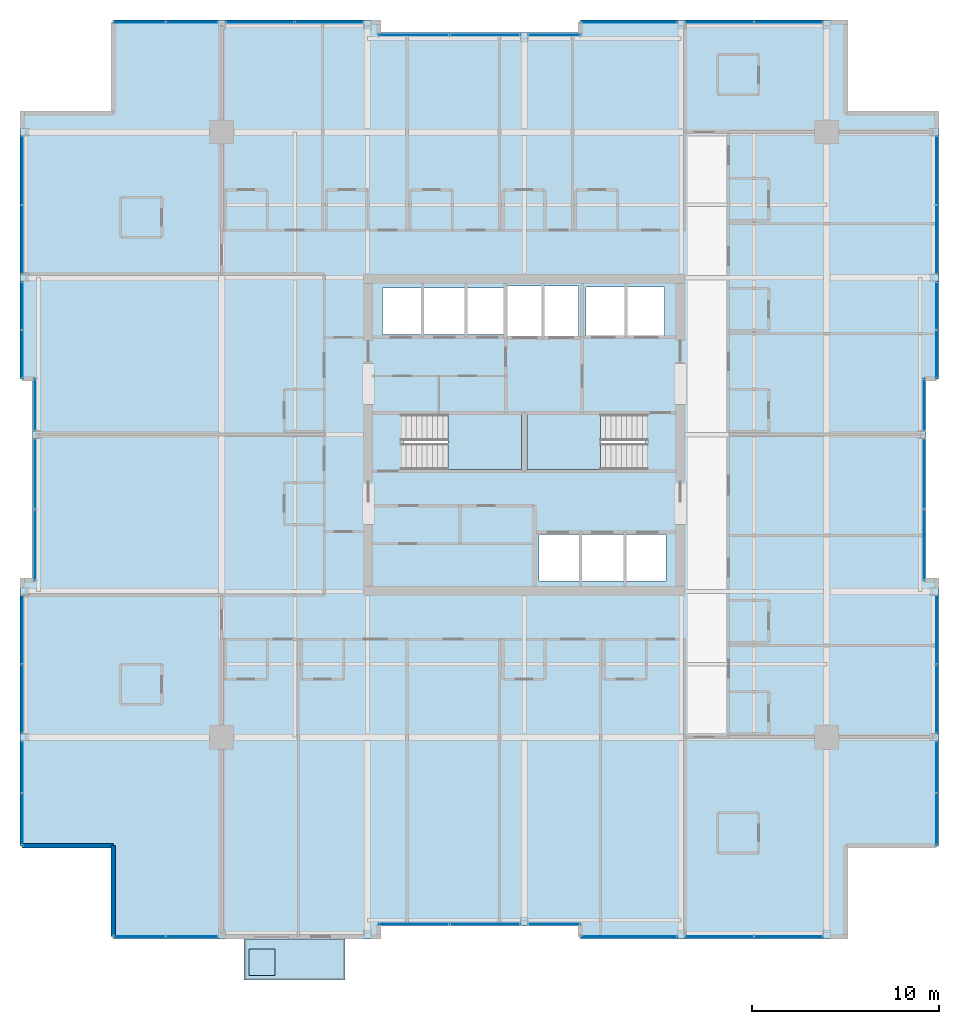
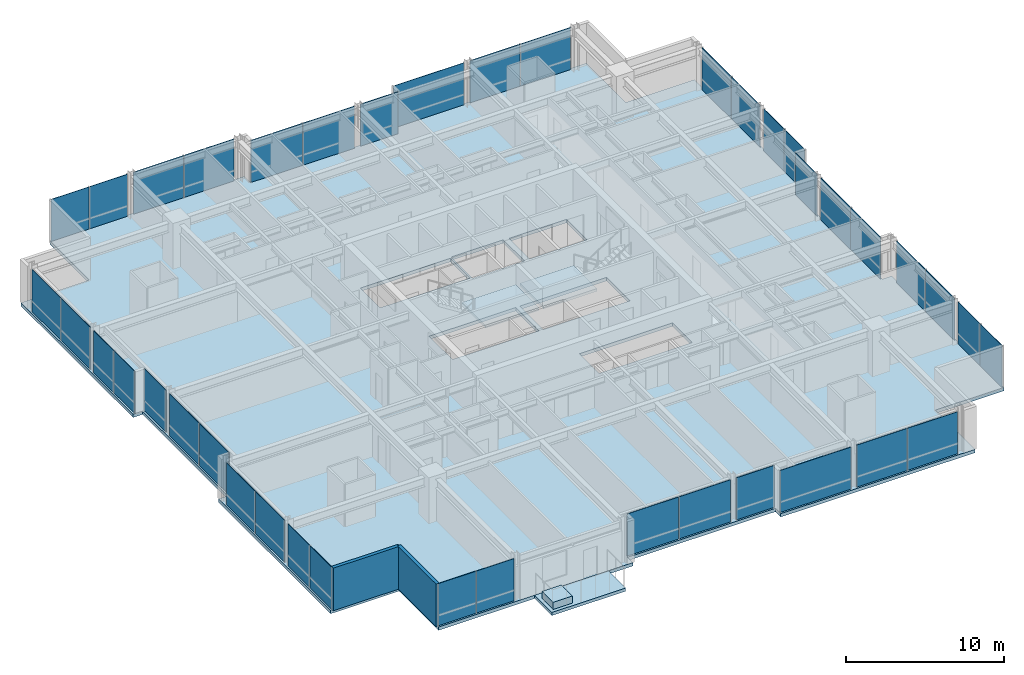
# One storey, part 25 of 32: 40 plates, 5 slabs, 2 walls, 25 elements without a shape of their own.
"""IFC4 building model written with IfcOpenShell, lengths in metres."""

import ifcopenshell
import ifcopenshell.guid

model = None  # the IFC model being written
_history = None  # IfcOwnerHistory: only IFC2X3 demands one
_inside = {}  # id of a spatial element -> (the spatial element, [elements in it])
_under = {}  # id of a project, library or spatial element -> (it, [spatial elements below it])
_declared = {}  # id of a project -> (the project, [libraries it declares])
_typed = {}  # id of a type object -> (the type object, [elements of that type])
_made_of = {}  # id of a material, layer set ... -> (it, [elements and type objects made of it])


def new_model(schema):
    """Start an empty IFC model of exactly this schema.

    Asked for "IFC4X3", IfcOpenShell would pick the latest addendum, in which some entities
    have other attributes; the version numbers below select the first issue.
    IFC2X3 requires an IfcOwnerHistory on every rooted entity: one is made here for all.
    """
    global model, _history
    if schema == "IFC4X3":
        model = ifcopenshell.file(schema_version=(4, 3, 0, 0))
    else:
        model = ifcopenshell.file(schema=schema)
    _inside.clear()
    _under.clear()
    _declared.clear()
    _typed.clear()
    _made_of.clear()
    _history = None
    if model.schema == "IFC2X3":
        org = make("IfcOrganization", Name="unknown")
        user = make(
            "IfcPersonAndOrganization",
            ThePerson=make("IfcPerson", FamilyName="unknown"),
            TheOrganization=org,
        )
        app = make(
            "IfcApplication",
            ApplicationDeveloper=org,
            Version="unknown",
            ApplicationFullName="unknown",
            ApplicationIdentifier="unknown",
        )
        _history = make(
            "IfcOwnerHistory",
            OwningUser=user,
            OwningApplication=app,
            ChangeAction="ADDED",
            CreationDate=0,
        )
    return model


def make(cls, **values):
    """One entity of the class cls with the attributes given. An attribute that is None is left unset."""
    return model.create_entity(
        cls, **{name: value for name, value in values.items() if value is not None}
    )


def rooted(cls, **values):
    """An entity with a GlobalId (a new one), such as an element, a storey or a relation."""
    return make(cls, GlobalId=ifcopenshell.guid.new(), OwnerHistory=_history, **values)


def si_unit(unit_type, name, prefix=None):
    """IfcSIUnit, for example si_unit("LENGTHUNIT", "METRE", prefix="MILLI")."""
    return make("IfcSIUnit", UnitType=unit_type, Prefix=prefix, Name=name)


def assignment(units):
    """IfcUnitAssignment: the units of a project."""
    return None if units is None else make("IfcUnitAssignment", Units=units)


def point(xyz):
    """IfcCartesianPoint."""
    return None if xyz is None else make("IfcCartesianPoint", Coordinates=xyz)


def direction(xyz):
    """IfcDirection."""
    return None if xyz is None else make("IfcDirection", DirectionRatios=xyz)


def frame(location, z_axis=None, x_axis=None):
    """IfcAxis2Placement3D, a coordinate frame: its origin and axes. An axis left out is left unset."""
    return make(
        "IfcAxis2Placement3D",
        Location=point(location),
        Axis=direction(z_axis),
        RefDirection=direction(x_axis),
    )


def frame_2d(location, x_axis=None):
    """IfcAxis2Placement2D, a coordinate frame in the plane: its origin and x axis."""
    return make(
        "IfcAxis2Placement2D", Location=point(location), RefDirection=direction(x_axis)
    )


def origin():
    """The frame at (0, 0, 0) with its axes left unset."""
    return frame((0.0, 0.0, 0.0))


def origin_2d():
    """The frame at (0, 0) in the plane with its x axis left unset."""
    return frame_2d((0.0, 0.0))


def place(relative_to, where):
    """IfcLocalPlacement: puts the frame where relative to a parent placement (None: the world)."""
    return make(
        "IfcLocalPlacement", PlacementRelTo=relative_to, RelativePlacement=where
    )


def context(
    kind, dimensions, precision=None, world=None, true_north=None, identifier=None
):
    """IfcGeometricRepresentationContext, for example the 3D "Model" context."""
    return make(
        "IfcGeometricRepresentationContext",
        ContextIdentifier=identifier,
        ContextType=kind,
        CoordinateSpaceDimension=dimensions,
        Precision=precision,
        WorldCoordinateSystem=world,
        TrueNorth=true_north,
    )


def subcontext(parent, identifier, kind, view, scale=None):
    """IfcGeometricRepresentationSubContext, for example "Body" below "Model"."""
    return make(
        "IfcGeometricRepresentationSubContext",
        ContextIdentifier=identifier,
        ContextType=kind,
        ParentContext=parent,
        TargetScale=scale,
        TargetView=view,
    )


def project(units=None, contexts=None):
    """IfcProject with its units and contexts."""
    return rooted(
        "IfcProject",
        Name="project",
        RepresentationContexts=contexts,
        UnitsInContext=assignment(units),
    )


def spatial(cls, under=None, at=None, **own):
    """A site, building, storey or space (cls), placed at a placement, below another one or the project."""
    s = rooted(cls, ObjectPlacement=at, **own)
    if under is not None:
        _under.setdefault(under.id(), (under, []))[1].append(s)
    return s


def polyline(points):
    """IfcPolyline through the points."""
    return make("IfcPolyline", Points=[point(p) for p in points])


def profile(cls, at=None, kind="AREA", **sizes):
    """A parametric profile (cls). Its sizes go by their IFC names, for example OverallWidth=200.0."""
    return make(cls, ProfileType=kind, Position=at, **sizes)


def rectangle(**sizes):
    """IfcRectangleProfileDef."""
    return profile("IfcRectangleProfileDef", **sizes)


def outline(outer, holes=None, kind="AREA"):
    """IfcArbitraryClosedProfileDef: a profile drawn as a closed curve; with holes, ...WithVoids."""
    if holes is None:
        return make("IfcArbitraryClosedProfileDef", ProfileType=kind, OuterCurve=outer)
    return make(
        "IfcArbitraryProfileDefWithVoids",
        ProfileType=kind,
        OuterCurve=outer,
        InnerCurves=holes,
    )


def extrude(swept, where, along, depth):
    """IfcExtrudedAreaSolid: the profile swept, set in the frame where, extruded along a direction by depth."""
    return make(
        "IfcExtrudedAreaSolid",
        SweptArea=swept,
        Position=where,
        ExtrudedDirection=direction(along),
        Depth=depth,
    )


def shape(context_of_items, identifier, shape_type, items):
    """IfcShapeRepresentation: the items that make up one representation, for example the "Body"."""
    return make(
        "IfcShapeRepresentation",
        ContextOfItems=context_of_items,
        RepresentationIdentifier=identifier,
        RepresentationType=shape_type,
        Items=items,
    )


def material(Name=None, Category=None):
    """IfcMaterial."""
    return make("IfcMaterial", Name=Name, Category=Category)


def layer(
    of_material, thickness, ventilated=None, Name=None, Category=None, Priority=None
):
    """IfcMaterialLayer: one layer of a wall or slab, of a material (None: an air gap)."""
    return make(
        "IfcMaterialLayer",
        Material=of_material,
        LayerThickness=thickness,
        IsVentilated=ventilated,
        Name=Name,
        Category=Category,
        Priority=Priority,
    )


def layer_set(layers, Name=None):
    """IfcMaterialLayerSet."""
    return make("IfcMaterialLayerSet", MaterialLayers=layers, LayerSetName=Name)


def made_of(thing, what):
    """Note that an element or type object is made of a material, layer set ...; save() writes the relation."""
    if what is not None:
        _made_of.setdefault(what.id(), (what, []))[1].append(thing)
    return thing


def type_object(cls, material=None, **own):
    """A type object (cls), such as IfcWallType, which elements share."""
    return made_of(rooted(cls, **own), material)


def element(
    cls,
    number,
    at=None,
    inside=None,
    cuts=None,
    type_object=None,
    material=None,
    context=None,
    identifier="Body",
    shape_type=None,
    held_by="IfcProductDefinitionShape",
    body=None,
    shapes=None,
    **own,
):
    """One element of the class cls, such as IfcWall. Its Tag is "e" and its number.

    at: its placement. inside: the storey or other place that contains it. cuts: it is an
    opening in that element (IfcRelVoidsElement). A single representation is given by context,
    identifier, shape_type and body (its items); several are given by shapes. held_by: the class
    of the entity that holds the representations. save() writes the other relations.
    """
    e = rooted(cls, Tag="e%d" % number, ObjectPlacement=at, **own)
    if body is not None:
        shapes = [shape(context, identifier, shape_type, body)]
    if shapes is not None:
        e.Representation = make(held_by, Representations=shapes)
    if inside is not None:
        _inside.setdefault(inside.id(), (inside, []))[1].append(e)
    if cuts is not None:
        rooted(
            "IfcRelVoidsElement", RelatingBuildingElement=cuts, RelatedOpeningElement=e
        )
    if type_object is not None:
        _typed.setdefault(type_object.id(), (type_object, []))[1].append(e)
    return made_of(e, material)


def aggregate(whole, parts):
    """IfcRelAggregates: a whole, such as a stair, and the parts it consists of."""
    return rooted("IfcRelAggregates", RelatingObject=whole, RelatedObjects=parts)


def save(model, path):
    """Write the relations noted so far, then the file.

    IfcRelAggregates (storeys below a building ...), IfcRelContainedInSpatialStructure (elements
    in a storey), IfcRelDefinesByType, IfcRelAssociatesMaterial and IfcRelDeclares: one each for
    every whole, place, type object, material and project.
    """
    for whole, parts in _under.values():
        aggregate(whole, parts)
    for where, things in _inside.values():
        rooted(
            "IfcRelContainedInSpatialStructure",
            RelatedElements=things,
            RelatingStructure=where,
        )
    for kind, things in _typed.values():
        rooted("IfcRelDefinesByType", RelatedObjects=things, RelatingType=kind)
    for what, things in _made_of.values():
        rooted("IfcRelAssociatesMaterial", RelatedObjects=things, RelatingMaterial=what)
    for by, libraries in _declared.values():
        rooted("IfcRelDeclares", RelatingContext=by, RelatedDefinitions=libraries)
    model.write(path)


model = new_model("IFC4")

# Units and contexts
model_context = context("Model", 3, precision=1e-05, world=origin(), true_north=direction((0.0, 1.0)))
body_context = subcontext(model_context, "Body", "Model", "MODEL_VIEW")
ifc_project = project(units=[si_unit("LENGTHUNIT", "METRE"), si_unit("AREAUNIT", "SQUARE_METRE"), si_unit("VOLUMEUNIT", "CUBIC_METRE"), si_unit("PLANEANGLEUNIT", "RADIAN"), si_unit("MASSUNIT", "GRAM", prefix="KILO")], contexts=[model_context])

# Site, building, storey
site_placement = place(None, origin())
site = spatial("IfcSite", under=ifc_project, at=site_placement, CompositionType="ELEMENT")
building_placement = place(site_placement, origin())
building = spatial("IfcBuilding", under=site, at=building_placement, Name="Drelvath Grand Hotel", CompositionType="ELEMENT")
storey_placement = place(building_placement, frame((0.0, 0.0, 150.39990234375)))
storey = spatial("IfcBuildingStorey", under=building, at=storey_placement, Name="L38", CompositionType="ELEMENT", Elevation=150.39990234375)

# Slabs
ifc_material_1 = material(Name="Concrete f'c 40 MPa", Category="concrete")
ifc_layer_1 = layer(ifc_material_1, 0.239990234375)
ifc_layer_set_1 = layer_set([ifc_layer_1], Name="Concrete f'c 40 MPa")
slab_type_1 = type_object("IfcSlabType", Name="Cantilevered Tree Balcony Slab 240", PredefinedType="FLOOR", material=ifc_layer_set_1)
slab_1_placement = place(storey_placement, frame((0.0, 0.0, -0.239990234375)))
element("IfcSlab", 1, at=slab_1_placement, inside=storey, type_object=slab_type_1, Name="L38 Cantilevered Tree Balcony Slab 1", PredefinedType="FLOOR", context=body_context, shape_type="SweptSolid", body=[
    extrude(outline(polyline([(-15.0, -2.199951171875), (-9.60009765625, -2.199951171875), (-9.60009765625, 0.0), (-15.0, 0.0), (-15.0, -2.199951171875)])), origin(), (0.0, 0.0, 1.0), 0.239990234375),
])
ifc_layer_2 = layer(ifc_material_1, 0.260009765625)
ifc_layer_set_2 = layer_set([ifc_layer_2], Name="Concrete f'c 40 MPa")
slab_type_2 = type_object("IfcSlabType", Name="Composite RC Floor Slab 260", PredefinedType="FLOOR", material=ifc_layer_set_2)
slab_2_placement = place(storey_placement, frame((0.0, 0.0, -0.260009765625)))
element("IfcSlab", 2, at=slab_2_placement, inside=storey, type_object=slab_type_2, Name="L38 Structural Floor Slab", PredefinedType="FLOOR", context=body_context, shape_type="SweptSolid", body=[
    extrude(outline(polyline([(-22.0, 0.0), (-7.800048828125, 0.0), (-7.800048828125, 0.679931640625), (3.0, 0.679931640625), (3.0, 0.0), (17.199951171875, 0.0), (17.199951171875, 5.0), (22.199951171875, 5.0), (22.199951171875, 19.199951171875), (21.52001953125, 19.199951171875), (21.52001953125, 30.0), (22.199951171875, 30.0), (22.199951171875, 44.199951171875), (17.199951171875, 44.199951171875), (17.199951171875, 49.199951171875), (3.0, 49.199951171875), (3.0, 48.52001953125), (-7.800048828125, 48.52001953125), (-7.800048828125, 49.199951171875), (-22.0, 49.199951171875), (-22.0, 44.199951171875), (-27.0, 44.199951171875), (-27.0, 30.0), (-26.320068359375, 30.0), (-26.320068359375, 19.199951171875), (-27.0, 19.199951171875), (-27.0, 5.0), (-22.0, 5.0), (-22.0, 0.0)]), holes=[polyline([(-6.47998046875, 25.1201171875), (-6.47998046875, 28.080078125), (-0.14990234375, 28.080078125), (-0.14990234375, 25.1201171875), (-6.47998046875, 25.1201171875)]), polyline([(0.14990234375, 25.1201171875), (0.14990234375, 28.080078125), (6.47998046875, 28.080078125), (6.47998046875, 25.1201171875), (0.14990234375, 25.1201171875)]), polyline([(0.800048828125, 19.14990234375), (0.800048828125, 21.64990234375), (7.60009765625, 21.64990234375), (7.60009765625, 19.14990234375), (0.800048828125, 19.14990234375)]), polyline([(-7.60009765625, 32.35009765625), (-7.60009765625, 34.85009765625), (-1.02001953125, 34.85009765625), (-1.02001953125, 32.35009765625), (-7.60009765625, 32.35009765625)]), polyline([(-0.89990234375, 32.25), (-0.89990234375, 34.949951171875), (2.89990234375, 34.949951171875), (2.89990234375, 32.25), (-0.89990234375, 32.25)]), polyline([(3.300048828125, 32.300048828125), (3.300048828125, 34.89990234375), (7.5, 34.89990234375), (7.5, 32.300048828125), (3.300048828125, 32.300048828125)])]), origin(), (0.0, 0.0, 1.0), 0.260009765625),
])

# Stair, slab
ifc_material_2 = material(Name="Concrete C40/50", Category="concrete")
stair_type = type_object("IfcStairType", Name="Dogleg Exit Stair W1400-R177.5", PredefinedType="HALF_TURN_STAIR", material=ifc_material_2)
stair_1_placement = place(storey_placement, origin())
stair_1 = element("IfcStair", 3, at=stair_1_placement, inside=storey, type_object=stair_type, Name="L38 Core Exit Stair ST-1", PredefinedType="HALF_TURN_STAIR")
ifc_layer_3 = layer(ifc_material_2, 0.199951171875)
ifc_layer_set_3 = layer_set([ifc_layer_3], Name="Concrete C40/50")
slab_type_3 = type_object("IfcSlabType", Name="Concrete Stair Landing Slab 200", PredefinedType="LANDING", material=ifc_layer_set_3)
slab_3_placement = place(storey_placement, frame((0.0, 0.0, 1.5751953125)))
slab_3 = element("IfcSlab", 4, at=slab_3_placement, type_object=slab_type_3, Name="ST-1 landing 1", PredefinedType="LANDING", context=body_context, shape_type="SweptSolid", body=[
    extrude(outline(polyline([(-4.080078125, 25.1201171875), (-0.14990234375, 25.1201171875), (-0.14990234375, 28.080078125), (-4.080078125, 28.080078125), (-4.080078125, 25.1201171875)])), origin(), (0.0, 0.0, 1.0), 0.199951171875),
])
aggregate(stair_1, [slab_3])

stair_2_placement = place(storey_placement, origin())
stair_2 = element("IfcStair", 5, at=stair_2_placement, inside=storey, type_object=stair_type, Name="L38 Core Exit Stair ST-2", PredefinedType="HALF_TURN_STAIR")
slab_4_placement = place(storey_placement, frame((0.0, 0.0, 1.5751953125)))
slab_4 = element("IfcSlab", 6, at=slab_4_placement, type_object=slab_type_3, Name="ST-2 landing 1", PredefinedType="LANDING", context=body_context, shape_type="SweptSolid", body=[
    extrude(outline(polyline([(4.080078125, 28.080078125), (0.14990234375, 28.080078125), (0.14990234375, 25.1201171875), (4.080078125, 25.1201171875), (4.080078125, 28.080078125)])), origin(), (0.0, 0.0, 1.0), 0.199951171875),
])
aggregate(stair_2, [slab_4])

# Curtain wall, plates
ifc_material_3 = material(Name="Brushed Pale-Silver Anodised Aluminium Frame", Category="aluminium")
ifc_layer_4 = layer(ifc_material_3, 0.199951171875)
ifc_layer_set_4 = layer_set([ifc_layer_4], Name="Brushed Pale-Silver Anodised Aluminium Frame")
curtain_wall_type = type_object("IfcCurtainWallType", Name="Stick Curtain Wall CW-04 Brushed Silver Upper-Mid", PredefinedType="NOTDEFINED", material=ifc_layer_set_4)
curtain_wall_1_placement = place(storey_placement, origin())
curtain_wall_1 = element("IfcCurtainWall", 7, at=curtain_wall_1_placement, inside=storey, type_object=curtain_wall_type, Name="L38 CW-04 Curtain Wall CW04-L38-WS1", PredefinedType="NOTDEFINED")
ifc_material_4 = material(Name="Low-E Triple Silver Vision Glass Cool", Category="glass")
ifc_layer_5 = layer(ifc_material_4, 0.035888671875)
ifc_layer_set_5 = layer_set([ifc_layer_5], Name="Low-E Triple Silver Vision Glass Cool")
plate_type = type_object("IfcPlateType", Name="Curtain Wall Vision Panel CW-04 36mm", PredefinedType="CURTAIN_PANEL", material=ifc_layer_set_5)
plate_1_placement = place(storey_placement, frame((-26.8798828125, 6.39990234375, 0.02001953125), z_axis=(0.0, 0.0, 1.0), x_axis=(0.0, 1.0, 0.0)))
plate_1 = element("IfcPlate", 8, at=plate_1_placement, type_object=plate_type, Name="CW04-L38-WS1 Glazed Panel 1", PredefinedType="CURTAIN_PANEL", context=body_context, shape_type="SweptSolid", body=[
    extrude(rectangle(XDim=2.760009765625, YDim=0.035888671875, at=origin_2d()), origin(), (0.0, 0.0, 1.0), 3.25),
])
plate_2_placement = place(storey_placement, frame((-26.8798828125, 9.199951171875, 0.02001953125), z_axis=(0.0, 0.0, 1.0), x_axis=(0.0, 1.0, 0.0)))
plate_2 = element("IfcPlate", 9, at=plate_2_placement, type_object=plate_type, Name="CW04-L38-WS1 Glazed Panel 2", PredefinedType="CURTAIN_PANEL", context=body_context, shape_type="SweptSolid", body=[
    extrude(rectangle(XDim=2.760009765625, YDim=0.035888671875, at=origin_2d()), origin(), (0.0, 0.0, 1.0), 3.25),
])
aggregate(curtain_wall_1, [plate_1, plate_2])

curtain_wall_2_placement = place(storey_placement, origin())
curtain_wall_2 = element("IfcCurtainWall", 10, at=curtain_wall_2_placement, inside=storey, type_object=curtain_wall_type, Name="L38 CW-04 Curtain Wall CW04-L38-WS2", PredefinedType="NOTDEFINED")
plate_3_placement = place(storey_placement, frame((-26.8798828125, 12.85009765625, 0.02001953125), z_axis=(0.0, 0.0, 1.0), x_axis=(0.0, 1.0, 0.0)))
plate_3 = element("IfcPlate", 11, at=plate_3_placement, type_object=plate_type, Name="CW04-L38-WS2 Glazed Panel 1", PredefinedType="CURTAIN_PANEL", context=body_context, shape_type="SweptSolid", body=[
    extrude(rectangle(XDim=3.659912109375, YDim=0.035888671875, at=origin_2d()), origin(), (0.0, 0.0, 1.0), 3.25),
])
plate_4_placement = place(storey_placement, frame((-26.8798828125, 16.550048828125, 0.02001953125), z_axis=(0.0, 0.0, 1.0), x_axis=(0.0, 1.0, 0.0)))
plate_4 = element("IfcPlate", 12, at=plate_4_placement, type_object=plate_type, Name="CW04-L38-WS2 Glazed Panel 2", PredefinedType="CURTAIN_PANEL", context=body_context, shape_type="SweptSolid", body=[
    extrude(rectangle(XDim=3.659912109375, YDim=0.035888671875, at=origin_2d()), origin(), (0.0, 0.0, 1.0), 3.25),
])
aggregate(curtain_wall_2, [plate_3, plate_4])

curtain_wall_3_placement = place(storey_placement, origin())
curtain_wall_3 = element("IfcCurtainWall", 13, at=curtain_wall_3_placement, inside=storey, type_object=curtain_wall_type, Name="L38 CW-04 Curtain Wall CW04-L38-WM1", PredefinedType="NOTDEFINED")
plate_5_placement = place(storey_placement, frame((-26.199951171875, 21.099853515625, 0.02001953125), z_axis=(0.0, 0.0, 1.0), x_axis=(0.0, 1.0, 0.0)))
plate_5 = element("IfcPlate", 14, at=plate_5_placement, type_object=plate_type, Name="CW04-L38-WM1 Glazed Panel 1", PredefinedType="CURTAIN_PANEL", context=body_context, shape_type="SweptSolid", body=[
    extrude(rectangle(XDim=3.760009765625, YDim=0.035888671875, at=origin_2d()), origin(), (0.0, 0.0, 1.0), 3.25),
])
plate_6_placement = place(storey_placement, frame((-26.199951171875, 24.89990234375, 0.02001953125), z_axis=(0.0, 0.0, 1.0), x_axis=(0.0, 1.0, 0.0)))
plate_6 = element("IfcPlate", 15, at=plate_6_placement, type_object=plate_type, Name="CW04-L38-WM1 Glazed Panel 2", PredefinedType="CURTAIN_PANEL", context=body_context, shape_type="SweptSolid", body=[
    extrude(rectangle(XDim=3.760009765625, YDim=0.035888671875, at=origin_2d()), origin(), (0.0, 0.0, 1.0), 3.25),
])
aggregate(curtain_wall_3, [plate_5, plate_6])

# Curtain wall, plate
curtain_wall_4_placement = place(storey_placement, origin())
curtain_wall_4 = element("IfcCurtainWall", 16, at=curtain_wall_4_placement, inside=storey, type_object=curtain_wall_type, Name="L38 CW-04 Curtain Wall CW04-L38-WM2", PredefinedType="NOTDEFINED")
plate_7_placement = place(storey_placement, frame((-26.199951171875, 28.60009765625, 0.02001953125), z_axis=(0.0, 0.0, 1.0), x_axis=(0.0, 1.0, 0.0)))
plate_7 = element("IfcPlate", 17, at=plate_7_placement, type_object=plate_type, Name="CW04-L38-WM2 Glazed Panel 1", PredefinedType="CURTAIN_PANEL", context=body_context, shape_type="SweptSolid", body=[
    extrude(rectangle(XDim=2.760009765625, YDim=0.035888671875, at=origin_2d()), origin(), (0.0, 0.0, 1.0), 3.25),
])
aggregate(curtain_wall_4, [plate_7])

# Curtain wall, plates
curtain_wall_5_placement = place(storey_placement, origin())
curtain_wall_5 = element("IfcCurtainWall", 18, at=curtain_wall_5_placement, inside=storey, type_object=curtain_wall_type, Name="L38 CW-04 Curtain Wall CW04-L38-WN1", PredefinedType="NOTDEFINED")
plate_8_placement = place(storey_placement, frame((-26.8798828125, 31.300048828125, 0.02001953125), z_axis=(0.0, 0.0, 1.0), x_axis=(0.0, 1.0, 0.0)))
plate_8 = element("IfcPlate", 19, at=plate_8_placement, type_object=plate_type, Name="CW04-L38-WN1 Glazed Panel 1", PredefinedType="CURTAIN_PANEL", context=body_context, shape_type="SweptSolid", body=[
    extrude(rectangle(XDim=2.56005859375, YDim=0.035888671875, at=origin_2d()), origin(), (0.0, 0.0, 1.0), 3.25),
])
plate_9_placement = place(storey_placement, frame((-26.8798828125, 33.89990234375, 0.02001953125), z_axis=(0.0, 0.0, 1.0), x_axis=(0.0, 1.0, 0.0)))
plate_9 = element("IfcPlate", 20, at=plate_9_placement, type_object=plate_type, Name="CW04-L38-WN1 Glazed Panel 2", PredefinedType="CURTAIN_PANEL", context=body_context, shape_type="SweptSolid", body=[
    extrude(rectangle(XDim=2.56005859375, YDim=0.035888671875, at=origin_2d()), origin(), (0.0, 0.0, 1.0), 3.25),
])
aggregate(curtain_wall_5, [plate_8, plate_9])

curtain_wall_6_placement = place(storey_placement, origin())
curtain_wall_6 = element("IfcCurtainWall", 21, at=curtain_wall_6_placement, inside=storey, type_object=curtain_wall_type, Name="L38 CW-04 Curtain Wall CW04-L38-WN2", PredefinedType="NOTDEFINED")
plate_10_placement = place(storey_placement, frame((-26.8798828125, 37.449951171875, 0.02001953125), z_axis=(0.0, 0.0, 1.0), x_axis=(0.0, 1.0, 0.0)))
plate_10 = element("IfcPlate", 22, at=plate_10_placement, type_object=plate_type, Name="CW04-L38-WN2 Glazed Panel 1", PredefinedType="CURTAIN_PANEL", context=body_context, shape_type="SweptSolid", body=[
    extrude(rectangle(XDim=3.659912109375, YDim=0.035888671875, at=origin_2d()), origin(), (0.0, 0.0, 1.0), 3.25),
])
plate_11_placement = place(storey_placement, frame((-26.8798828125, 41.14990234375, 0.02001953125), z_axis=(0.0, 0.0, 1.0), x_axis=(0.0, 1.0, 0.0)))
plate_11 = element("IfcPlate", 23, at=plate_11_placement, type_object=plate_type, Name="CW04-L38-WN2 Glazed Panel 2", PredefinedType="CURTAIN_PANEL", context=body_context, shape_type="SweptSolid", body=[
    extrude(rectangle(XDim=3.659912109375, YDim=0.035888671875, at=origin_2d()), origin(), (0.0, 0.0, 1.0), 3.25),
])
aggregate(curtain_wall_6, [plate_10, plate_11])

curtain_wall_7_placement = place(storey_placement, origin())
curtain_wall_7 = element("IfcCurtainWall", 24, at=curtain_wall_7_placement, inside=storey, type_object=curtain_wall_type, Name="L38 CW-04 Curtain Wall CW04-L38-EN1", PredefinedType="NOTDEFINED")
plate_12_placement = place(storey_placement, frame((22.080078125, 33.89990234375, 0.02001953125), z_axis=(0.0, 0.0, 1.0), x_axis=(0.0, -1.0, 0.0)))
plate_12 = element("IfcPlate", 25, at=plate_12_placement, type_object=plate_type, Name="CW04-L38-EN1 Glazed Panel 1", PredefinedType="CURTAIN_PANEL", context=body_context, shape_type="SweptSolid", body=[
    extrude(rectangle(XDim=2.56005859375, YDim=0.035888671875, at=origin_2d()), origin(), (0.0, 0.0, 1.0), 3.25),
])
plate_13_placement = place(storey_placement, frame((22.080078125, 31.300048828125, 0.02001953125), z_axis=(0.0, 0.0, 1.0), x_axis=(0.0, -1.0, 0.0)))
plate_13 = element("IfcPlate", 26, at=plate_13_placement, type_object=plate_type, Name="CW04-L38-EN1 Glazed Panel 2", PredefinedType="CURTAIN_PANEL", context=body_context, shape_type="SweptSolid", body=[
    extrude(rectangle(XDim=2.56005859375, YDim=0.035888671875, at=origin_2d()), origin(), (0.0, 0.0, 1.0), 3.25),
])
aggregate(curtain_wall_7, [plate_12, plate_13])

curtain_wall_8_placement = place(storey_placement, origin())
curtain_wall_8 = element("IfcCurtainWall", 27, at=curtain_wall_8_placement, inside=storey, type_object=curtain_wall_type, Name="L38 CW-04 Curtain Wall CW04-L38-EN2", PredefinedType="NOTDEFINED")
plate_14_placement = place(storey_placement, frame((22.080078125, 41.14990234375, 0.02001953125), z_axis=(0.0, 0.0, 1.0), x_axis=(0.0, -1.0, 0.0)))
plate_14 = element("IfcPlate", 28, at=plate_14_placement, type_object=plate_type, Name="CW04-L38-EN2 Glazed Panel 1", PredefinedType="CURTAIN_PANEL", context=body_context, shape_type="SweptSolid", body=[
    extrude(rectangle(XDim=3.659912109375, YDim=0.035888671875, at=origin_2d()), origin(), (0.0, 0.0, 1.0), 3.25),
])
plate_15_placement = place(storey_placement, frame((22.080078125, 37.449951171875, 0.02001953125), z_axis=(0.0, 0.0, 1.0), x_axis=(0.0, -1.0, 0.0)))
plate_15 = element("IfcPlate", 29, at=plate_15_placement, type_object=plate_type, Name="CW04-L38-EN2 Glazed Panel 2", PredefinedType="CURTAIN_PANEL", context=body_context, shape_type="SweptSolid", body=[
    extrude(rectangle(XDim=3.659912109375, YDim=0.035888671875, at=origin_2d()), origin(), (0.0, 0.0, 1.0), 3.25),
])
aggregate(curtain_wall_8, [plate_14, plate_15])

curtain_wall_9_placement = place(storey_placement, origin())
curtain_wall_9 = element("IfcCurtainWall", 30, at=curtain_wall_9_placement, inside=storey, type_object=curtain_wall_type, Name="L38 CW-04 Curtain Wall CW04-L38-EM1", PredefinedType="NOTDEFINED")
plate_16_placement = place(storey_placement, frame((21.39990234375, 24.89990234375, 0.02001953125), z_axis=(0.0, 0.0, 1.0), x_axis=(0.0, -1.0, 0.0)))
plate_16 = element("IfcPlate", 31, at=plate_16_placement, type_object=plate_type, Name="CW04-L38-EM1 Glazed Panel 1", PredefinedType="CURTAIN_PANEL", context=body_context, shape_type="SweptSolid", body=[
    extrude(rectangle(XDim=3.760009765625, YDim=0.035888671875, at=origin_2d()), origin(), (0.0, 0.0, 1.0), 3.25),
])
plate_17_placement = place(storey_placement, frame((21.39990234375, 21.099853515625, 0.02001953125), z_axis=(0.0, 0.0, 1.0), x_axis=(0.0, -1.0, 0.0)))
plate_17 = element("IfcPlate", 32, at=plate_17_placement, type_object=plate_type, Name="CW04-L38-EM1 Glazed Panel 2", PredefinedType="CURTAIN_PANEL", context=body_context, shape_type="SweptSolid", body=[
    extrude(rectangle(XDim=3.760009765625, YDim=0.035888671875, at=origin_2d()), origin(), (0.0, 0.0, 1.0), 3.25),
])
aggregate(curtain_wall_9, [plate_16, plate_17])

# Curtain wall, plate
curtain_wall_10_placement = place(storey_placement, origin())
curtain_wall_10 = element("IfcCurtainWall", 33, at=curtain_wall_10_placement, inside=storey, type_object=curtain_wall_type, Name="L38 CW-04 Curtain Wall CW04-L38-EM2", PredefinedType="NOTDEFINED")
plate_18_placement = place(storey_placement, frame((21.39990234375, 28.60009765625, 0.02001953125), z_axis=(0.0, 0.0, 1.0), x_axis=(0.0, -1.0, 0.0)))
plate_18 = element("IfcPlate", 34, at=plate_18_placement, type_object=plate_type, Name="CW04-L38-EM2 Glazed Panel 1", PredefinedType="CURTAIN_PANEL", context=body_context, shape_type="SweptSolid", body=[
    extrude(rectangle(XDim=2.760009765625, YDim=0.035888671875, at=origin_2d()), origin(), (0.0, 0.0, 1.0), 3.25),
])
aggregate(curtain_wall_10, [plate_18])

# Curtain wall, plates
curtain_wall_11_placement = place(storey_placement, origin())
curtain_wall_11 = element("IfcCurtainWall", 35, at=curtain_wall_11_placement, inside=storey, type_object=curtain_wall_type, Name="L38 CW-04 Curtain Wall CW04-L38-ES1", PredefinedType="NOTDEFINED")
plate_19_placement = place(storey_placement, frame((22.080078125, 9.199951171875, 0.02001953125), z_axis=(0.0, 0.0, 1.0), x_axis=(0.0, -1.0, 0.0)))
plate_19 = element("IfcPlate", 36, at=plate_19_placement, type_object=plate_type, Name="CW04-L38-ES1 Glazed Panel 1", PredefinedType="CURTAIN_PANEL", context=body_context, shape_type="SweptSolid", body=[
    extrude(rectangle(XDim=2.760009765625, YDim=0.035888671875, at=origin_2d()), origin(), (0.0, 0.0, 1.0), 3.25),
])
plate_20_placement = place(storey_placement, frame((22.080078125, 6.39990234375, 0.02001953125), z_axis=(0.0, 0.0, 1.0), x_axis=(0.0, -1.0, 0.0)))
plate_20 = element("IfcPlate", 37, at=plate_20_placement, type_object=plate_type, Name="CW04-L38-ES1 Glazed Panel 2", PredefinedType="CURTAIN_PANEL", context=body_context, shape_type="SweptSolid", body=[
    extrude(rectangle(XDim=2.760009765625, YDim=0.035888671875, at=origin_2d()), origin(), (0.0, 0.0, 1.0), 3.25),
])
aggregate(curtain_wall_11, [plate_19, plate_20])

curtain_wall_12_placement = place(storey_placement, origin())
curtain_wall_12 = element("IfcCurtainWall", 38, at=curtain_wall_12_placement, inside=storey, type_object=curtain_wall_type, Name="L38 CW-04 Curtain Wall CW04-L38-ES2", PredefinedType="NOTDEFINED")
plate_21_placement = place(storey_placement, frame((22.080078125, 16.550048828125, 0.02001953125), z_axis=(0.0, 0.0, 1.0), x_axis=(0.0, -1.0, 0.0)))
plate_21 = element("IfcPlate", 39, at=plate_21_placement, type_object=plate_type, Name="CW04-L38-ES2 Glazed Panel 1", PredefinedType="CURTAIN_PANEL", context=body_context, shape_type="SweptSolid", body=[
    extrude(rectangle(XDim=3.659912109375, YDim=0.035888671875, at=origin_2d()), origin(), (0.0, 0.0, 1.0), 3.25),
])
plate_22_placement = place(storey_placement, frame((22.080078125, 12.85009765625, 0.02001953125), z_axis=(0.0, 0.0, 1.0), x_axis=(0.0, -1.0, 0.0)))
plate_22 = element("IfcPlate", 40, at=plate_22_placement, type_object=plate_type, Name="CW04-L38-ES2 Glazed Panel 2", PredefinedType="CURTAIN_PANEL", context=body_context, shape_type="SweptSolid", body=[
    extrude(rectangle(XDim=3.659912109375, YDim=0.035888671875, at=origin_2d()), origin(), (0.0, 0.0, 1.0), 3.25),
])
aggregate(curtain_wall_12, [plate_21, plate_22])

curtain_wall_13_placement = place(storey_placement, origin())
curtain_wall_13 = element("IfcCurtainWall", 41, at=curtain_wall_13_placement, inside=storey, type_object=curtain_wall_type, Name="L38 CW-04 Curtain Wall CW04-L38-NW1", PredefinedType="NOTDEFINED")
plate_23_placement = place(storey_placement, frame((-20.60009765625, 49.080078125, 0.02001953125), z_axis=(0.0, 0.0, 1.0), x_axis=(1.0, 0.0, 0.0)))
plate_23 = element("IfcPlate", 42, at=plate_23_placement, type_object=plate_type, Name="CW04-L38-NW1 Glazed Panel 1", PredefinedType="CURTAIN_PANEL", context=body_context, shape_type="SweptSolid", body=[
    extrude(rectangle(XDim=2.760009765625, YDim=0.035888671875, at=origin_2d()), origin(), (0.0, 0.0, 1.0), 3.25),
])
plate_24_placement = place(storey_placement, frame((-17.800048828125, 49.080078125, 0.02001953125), z_axis=(0.0, 0.0, 1.0), x_axis=(1.0, 0.0, 0.0)))
plate_24 = element("IfcPlate", 43, at=plate_24_placement, type_object=plate_type, Name="CW04-L38-NW1 Glazed Panel 2", PredefinedType="CURTAIN_PANEL", context=body_context, shape_type="SweptSolid", body=[
    extrude(rectangle(XDim=2.760009765625, YDim=0.035888671875, at=origin_2d()), origin(), (0.0, 0.0, 1.0), 3.25),
])
aggregate(curtain_wall_13, [plate_23, plate_24])

curtain_wall_14_placement = place(storey_placement, origin())
curtain_wall_14 = element("IfcCurtainWall", 44, at=curtain_wall_14_placement, inside=storey, type_object=curtain_wall_type, Name="L38 CW-04 Curtain Wall CW04-L38-NW2", PredefinedType="NOTDEFINED")
plate_25_placement = place(storey_placement, frame((-14.14990234375, 49.080078125, 0.02001953125), z_axis=(0.0, 0.0, 1.0), x_axis=(1.0, 0.0, 0.0)))
plate_25 = element("IfcPlate", 45, at=plate_25_placement, type_object=plate_type, Name="CW04-L38-NW2 Glazed Panel 1", PredefinedType="CURTAIN_PANEL", context=body_context, shape_type="SweptSolid", body=[
    extrude(rectangle(XDim=3.659912109375, YDim=0.035888671875, at=origin_2d()), origin(), (0.0, 0.0, 1.0), 3.25),
])
plate_26_placement = place(storey_placement, frame((-10.4501953125, 49.080078125, 0.02001953125), z_axis=(0.0, 0.0, 1.0), x_axis=(1.0, 0.0, 0.0)))
plate_26 = element("IfcPlate", 46, at=plate_26_placement, type_object=plate_type, Name="CW04-L38-NW2 Glazed Panel 2", PredefinedType="CURTAIN_PANEL", context=body_context, shape_type="SweptSolid", body=[
    extrude(rectangle(XDim=3.659912109375, YDim=0.035888671875, at=origin_2d()), origin(), (0.0, 0.0, 1.0), 3.25),
])
aggregate(curtain_wall_14, [plate_25, plate_26])

curtain_wall_15_placement = place(storey_placement, origin())
curtain_wall_15 = element("IfcCurtainWall", 47, at=curtain_wall_15_placement, inside=storey, type_object=curtain_wall_type, Name="L38 CW-04 Curtain Wall CW04-L38-NM1", PredefinedType="NOTDEFINED")
plate_27_placement = place(storey_placement, frame((-5.89990234375, 48.39990234375, 0.02001953125), z_axis=(0.0, 0.0, 1.0), x_axis=(1.0, 0.0, 0.0)))
plate_27 = element("IfcPlate", 48, at=plate_27_placement, type_object=plate_type, Name="CW04-L38-NM1 Glazed Panel 1", PredefinedType="CURTAIN_PANEL", context=body_context, shape_type="SweptSolid", body=[
    extrude(rectangle(XDim=3.760009765625, YDim=0.035888671875, at=origin_2d()), origin(), (0.0, 0.0, 1.0), 3.25),
])
plate_28_placement = place(storey_placement, frame((-2.10009765625, 48.39990234375, 0.02001953125), z_axis=(0.0, 0.0, 1.0), x_axis=(1.0, 0.0, 0.0)))
plate_28 = element("IfcPlate", 49, at=plate_28_placement, type_object=plate_type, Name="CW04-L38-NM1 Glazed Panel 2", PredefinedType="CURTAIN_PANEL", context=body_context, shape_type="SweptSolid", body=[
    extrude(rectangle(XDim=3.760009765625, YDim=0.035888671875, at=origin_2d()), origin(), (0.0, 0.0, 1.0), 3.25),
])
aggregate(curtain_wall_15, [plate_27, plate_28])

# Curtain wall, plate
curtain_wall_16_placement = place(storey_placement, origin())
curtain_wall_16 = element("IfcCurtainWall", 50, at=curtain_wall_16_placement, inside=storey, type_object=curtain_wall_type, Name="L38 CW-04 Curtain Wall CW04-L38-NM2", PredefinedType="NOTDEFINED")
plate_29_placement = place(storey_placement, frame((1.60009765625, 48.39990234375, 0.02001953125), z_axis=(0.0, 0.0, 1.0), x_axis=(1.0, 0.0, 0.0)))
plate_29 = element("IfcPlate", 51, at=plate_29_placement, type_object=plate_type, Name="CW04-L38-NM2 Glazed Panel 1", PredefinedType="CURTAIN_PANEL", context=body_context, shape_type="SweptSolid", body=[
    extrude(rectangle(XDim=2.760009765625, YDim=0.035888671875, at=origin_2d()), origin(), (0.0, 0.0, 1.0), 3.25),
])
aggregate(curtain_wall_16, [plate_29])

curtain_wall_17_placement = place(storey_placement, origin())
curtain_wall_17 = element("IfcCurtainWall", 52, at=curtain_wall_17_placement, inside=storey, type_object=curtain_wall_type, Name="L38 CW-04 Curtain Wall CW04-L38-NE1", PredefinedType="NOTDEFINED")
plate_30_placement = place(storey_placement, frame((5.599853515625, 49.080078125, 0.02001953125), z_axis=(0.0, 0.0, 1.0), x_axis=(1.0, 0.0, 0.0)))
plate_30 = element("IfcPlate", 53, at=plate_30_placement, type_object=plate_type, Name="CW04-L38-NE1 Glazed Panel 1", PredefinedType="CURTAIN_PANEL", context=body_context, shape_type="SweptSolid", body=[
    extrude(rectangle(XDim=5.159912109375, YDim=0.035888671875, at=origin_2d()), origin(), (0.0, 0.0, 1.0), 3.25),
])
aggregate(curtain_wall_17, [plate_30])

# Curtain wall, plates
curtain_wall_18_placement = place(storey_placement, origin())
curtain_wall_18 = element("IfcCurtainWall", 54, at=curtain_wall_18_placement, inside=storey, type_object=curtain_wall_type, Name="L38 CW-04 Curtain Wall CW04-L38-NE2", PredefinedType="NOTDEFINED")
plate_31_placement = place(storey_placement, frame((10.4501953125, 49.080078125, 0.02001953125), z_axis=(0.0, 0.0, 1.0), x_axis=(1.0, 0.0, 0.0)))
plate_31 = element("IfcPlate", 55, at=plate_31_placement, type_object=plate_type, Name="CW04-L38-NE2 Glazed Panel 1", PredefinedType="CURTAIN_PANEL", context=body_context, shape_type="SweptSolid", body=[
    extrude(rectangle(XDim=3.659912109375, YDim=0.035888671875, at=origin_2d()), origin(), (0.0, 0.0, 1.0), 3.25),
])
plate_32_placement = place(storey_placement, frame((14.14990234375, 49.080078125, 0.02001953125), z_axis=(0.0, 0.0, 1.0), x_axis=(1.0, 0.0, 0.0)))
plate_32 = element("IfcPlate", 56, at=plate_32_placement, type_object=plate_type, Name="CW04-L38-NE2 Glazed Panel 2", PredefinedType="CURTAIN_PANEL", context=body_context, shape_type="SweptSolid", body=[
    extrude(rectangle(XDim=3.659912109375, YDim=0.035888671875, at=origin_2d()), origin(), (0.0, 0.0, 1.0), 3.25),
])
aggregate(curtain_wall_18, [plate_31, plate_32])

# Curtain wall, plate
curtain_wall_19_placement = place(storey_placement, origin())
curtain_wall_19 = element("IfcCurtainWall", 57, at=curtain_wall_19_placement, inside=storey, type_object=curtain_wall_type, Name="L38 CW-04 Curtain Wall CW04-L38-SE1", PredefinedType="NOTDEFINED")
plate_33_placement = place(storey_placement, frame((5.599853515625, 0.1201171875, 0.02001953125), z_axis=(0.0, 0.0, 1.0), x_axis=(-1.0, 0.0, 0.0)))
plate_33 = element("IfcPlate", 58, at=plate_33_placement, type_object=plate_type, Name="CW04-L38-SE1 Glazed Panel 1", PredefinedType="CURTAIN_PANEL", context=body_context, shape_type="SweptSolid", body=[
    extrude(rectangle(XDim=5.159912109375, YDim=0.035888671875, at=origin_2d()), origin(), (0.0, 0.0, 1.0), 3.25),
])
aggregate(curtain_wall_19, [plate_33])

# Curtain wall, plates
curtain_wall_20_placement = place(storey_placement, origin())
curtain_wall_20 = element("IfcCurtainWall", 59, at=curtain_wall_20_placement, inside=storey, type_object=curtain_wall_type, Name="L38 CW-04 Curtain Wall CW04-L38-SE2", PredefinedType="NOTDEFINED")
plate_34_placement = place(storey_placement, frame((14.14990234375, 0.1201171875, 0.02001953125), z_axis=(0.0, 0.0, 1.0), x_axis=(-1.0, 0.0, 0.0)))
plate_34 = element("IfcPlate", 60, at=plate_34_placement, type_object=plate_type, Name="CW04-L38-SE2 Glazed Panel 1", PredefinedType="CURTAIN_PANEL", context=body_context, shape_type="SweptSolid", body=[
    extrude(rectangle(XDim=3.659912109375, YDim=0.035888671875, at=origin_2d()), origin(), (0.0, 0.0, 1.0), 3.25),
])
plate_35_placement = place(storey_placement, frame((10.4501953125, 0.1201171875, 0.02001953125), z_axis=(0.0, 0.0, 1.0), x_axis=(-1.0, 0.0, 0.0)))
plate_35 = element("IfcPlate", 61, at=plate_35_placement, type_object=plate_type, Name="CW04-L38-SE2 Glazed Panel 2", PredefinedType="CURTAIN_PANEL", context=body_context, shape_type="SweptSolid", body=[
    extrude(rectangle(XDim=3.659912109375, YDim=0.035888671875, at=origin_2d()), origin(), (0.0, 0.0, 1.0), 3.25),
])
aggregate(curtain_wall_20, [plate_34, plate_35])

curtain_wall_21_placement = place(storey_placement, origin())
curtain_wall_21 = element("IfcCurtainWall", 62, at=curtain_wall_21_placement, inside=storey, type_object=curtain_wall_type, Name="L38 CW-04 Curtain Wall CW04-L38-SM1", PredefinedType="NOTDEFINED")
plate_36_placement = place(storey_placement, frame((-2.10009765625, 0.800048828125, 0.02001953125), z_axis=(0.0, 0.0, 1.0), x_axis=(-1.0, 0.0, 0.0)))
plate_36 = element("IfcPlate", 63, at=plate_36_placement, type_object=plate_type, Name="CW04-L38-SM1 Glazed Panel 1", PredefinedType="CURTAIN_PANEL", context=body_context, shape_type="SweptSolid", body=[
    extrude(rectangle(XDim=3.760009765625, YDim=0.035888671875, at=origin_2d()), origin(), (0.0, 0.0, 1.0), 3.25),
])
plate_37_placement = place(storey_placement, frame((-5.89990234375, 0.800048828125, 0.02001953125), z_axis=(0.0, 0.0, 1.0), x_axis=(-1.0, 0.0, 0.0)))
plate_37 = element("IfcPlate", 64, at=plate_37_placement, type_object=plate_type, Name="CW04-L38-SM1 Glazed Panel 2", PredefinedType="CURTAIN_PANEL", context=body_context, shape_type="SweptSolid", body=[
    extrude(rectangle(XDim=3.760009765625, YDim=0.035888671875, at=origin_2d()), origin(), (0.0, 0.0, 1.0), 3.25),
])
aggregate(curtain_wall_21, [plate_36, plate_37])

# Curtain wall, plate
curtain_wall_22_placement = place(storey_placement, origin())
curtain_wall_22 = element("IfcCurtainWall", 65, at=curtain_wall_22_placement, inside=storey, type_object=curtain_wall_type, Name="L38 CW-04 Curtain Wall CW04-L38-SM2", PredefinedType="NOTDEFINED")
plate_38_placement = place(storey_placement, frame((1.60009765625, 0.800048828125, 0.02001953125), z_axis=(0.0, 0.0, 1.0), x_axis=(-1.0, 0.0, 0.0)))
plate_38 = element("IfcPlate", 66, at=plate_38_placement, type_object=plate_type, Name="CW04-L38-SM2 Glazed Panel 1", PredefinedType="CURTAIN_PANEL", context=body_context, shape_type="SweptSolid", body=[
    extrude(rectangle(XDim=2.760009765625, YDim=0.035888671875, at=origin_2d()), origin(), (0.0, 0.0, 1.0), 3.25),
])
aggregate(curtain_wall_22, [plate_38])

# Curtain wall, plates
curtain_wall_23_placement = place(storey_placement, origin())
curtain_wall_23 = element("IfcCurtainWall", 67, at=curtain_wall_23_placement, inside=storey, type_object=curtain_wall_type, Name="L38 CW-04 Curtain Wall CW04-L38-SW1", PredefinedType="NOTDEFINED")
plate_39_placement = place(storey_placement, frame((-17.800048828125, 0.1201171875, 0.02001953125), z_axis=(0.0, 0.0, 1.0), x_axis=(-1.0, 0.0, 0.0)))
plate_39 = element("IfcPlate", 68, at=plate_39_placement, type_object=plate_type, Name="CW04-L38-SW1 Glazed Panel 1", PredefinedType="CURTAIN_PANEL", context=body_context, shape_type="SweptSolid", body=[
    extrude(rectangle(XDim=2.760009765625, YDim=0.035888671875, at=origin_2d()), origin(), (0.0, 0.0, 1.0), 3.25),
])
plate_40_placement = place(storey_placement, frame((-20.60009765625, 0.1201171875, 0.02001953125), z_axis=(0.0, 0.0, 1.0), x_axis=(-1.0, 0.0, 0.0)))
plate_40 = element("IfcPlate", 69, at=plate_40_placement, type_object=plate_type, Name="CW04-L38-SW1 Glazed Panel 2", PredefinedType="CURTAIN_PANEL", context=body_context, shape_type="SweptSolid", body=[
    extrude(rectangle(XDim=2.760009765625, YDim=0.035888671875, at=origin_2d()), origin(), (0.0, 0.0, 1.0), 3.25),
])
aggregate(curtain_wall_23, [plate_39, plate_40])

# Slab
ifc_layer_6 = layer(ifc_material_1, 0.550048828125)
ifc_layer_set_6 = layer_set([ifc_layer_6], Name="Concrete f'c 40 MPa")
slab_type_4 = type_object("IfcSlabType", Name="Structural Tree Planter Box 550", PredefinedType="USERDEFINED", material=ifc_layer_set_6)
slab_5_placement = place(storey_placement, origin())
element("IfcSlab", 70, at=slab_5_placement, inside=storey, type_object=slab_type_4, Name="L38 Tree Balcony Structural Planter 1", ObjectType="PLANTER", PredefinedType="USERDEFINED", context=body_context, shape_type="SweptSolid", body=[
    extrude(outline(polyline([(-14.75, -1.949951171875), (-13.35009765625, -1.949951171875), (-13.35009765625, -0.550048828125), (-14.75, -0.550048828125), (-14.75, -1.949951171875)])), origin(), (0.0, 0.0, 1.0), 0.550048828125),
])

# Walls
ifc_material_5 = material(Name="Pale-Metal Insulated Aluminium Spandrel Assembly", Category="aluminium")
ifc_layer_7 = layer(ifc_material_5, 0.239990234375)
ifc_layer_set_7 = layer_set([ifc_layer_7], Name="Pale-Metal Insulated Aluminium Spandrel Assembly")
wall_type = type_object("IfcWallType", Name="Tower Insulated Metal Spandrel Closure Wall 240", PredefinedType="STANDARD", material=ifc_layer_set_7)
for number, where, z_axis, x_axis, name in (
    (71, (-22.0, 0.1201171875, 0.0), (0.0, 0.0, 1.0), (0.0, 1.0, 0.0), "L38 Notched Corner Return Spandrel Wall CSW1"),
    (72, (-22.0, 5.0, 0.0), (0.0, 0.0, 1.0), (-1.0, 0.0, 0.0), "L38 Notched Corner Return Spandrel Wall CSW2"),
):
    element("IfcWall", number, at=place(storey_placement, frame(where, z_axis=z_axis, x_axis=x_axis)), inside=storey, type_object=wall_type, Name=name, PredefinedType="STANDARD", context=body_context, shape_type="SweptSolid", body=[
        extrude(rectangle(XDim=4.8798828125, YDim=0.239990234375, at=frame_2d((2.43994140625, 0.0))), origin(), (0.0, 0.0, 1.0), 3.2900390625),
    ])

save(model, "model.ifc")
